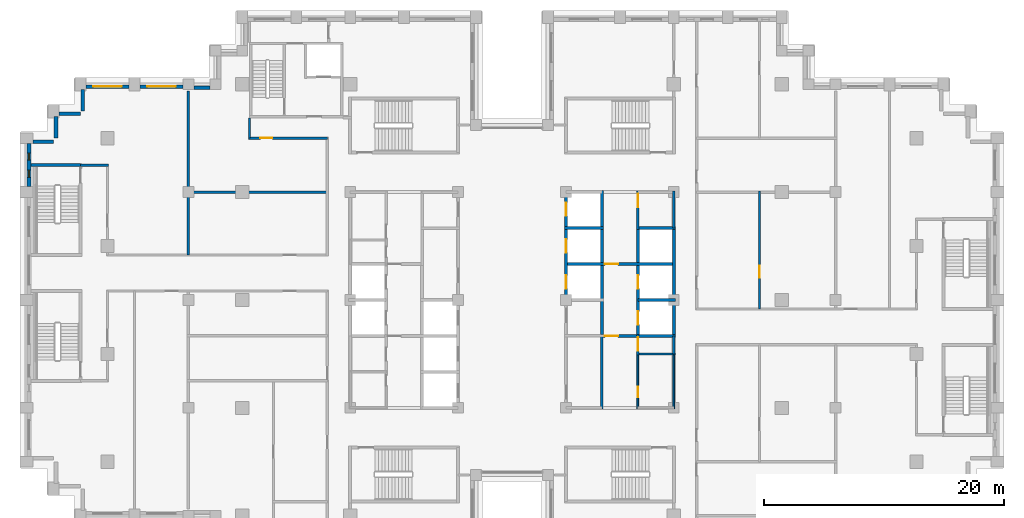
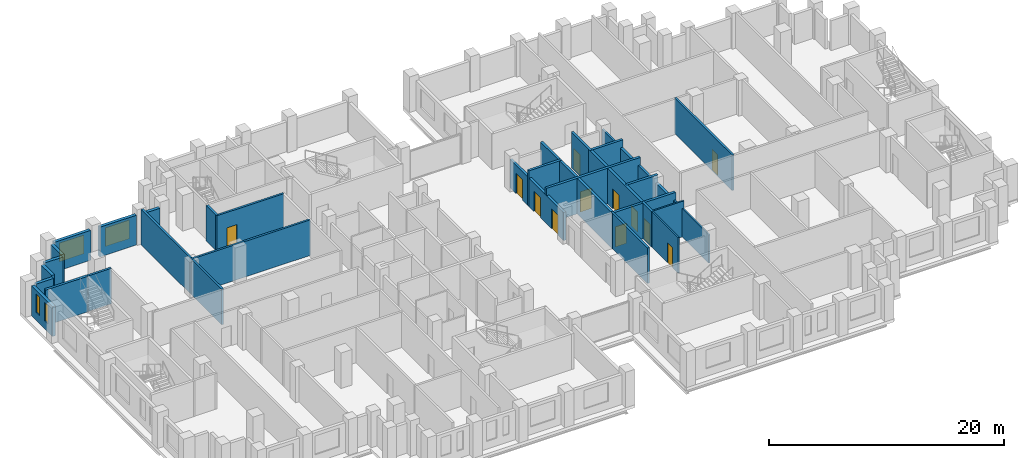
# One storey, part 9 of 15: 32 walls, 12 doors, 4 windows, 16 openings.
"""IFC4 building model written with IfcOpenShell, lengths in metres."""

from ifc_helpers import new_model, si_unit, direction, frame, frame_2d, origin, place, context, subcontext, project, spatial, rectangle, extrude, material, layer, layer_set, type_object, element, fill, save


model = new_model("IFC4")

# Units and contexts
model_context = context("Model", 3, precision=1e-05, world=origin(), true_north=direction((0.0, 1.0)))
body_context = subcontext(model_context, "Body", "Model", "MODEL_VIEW")
ifc_project = project(units=[si_unit("LENGTHUNIT", "METRE"), si_unit("AREAUNIT", "SQUARE_METRE"), si_unit("VOLUMEUNIT", "CUBIC_METRE"), si_unit("PLANEANGLEUNIT", "RADIAN"), si_unit("MASSUNIT", "GRAM", prefix="KILO")], contexts=[model_context])

# Site, building, storey
site_placement = place(None, origin())
site = spatial("IfcSite", under=ifc_project, at=site_placement, CompositionType="ELEMENT")
building_placement = place(site_placement, origin())
building = spatial("IfcBuilding", under=site, at=building_placement, Name="Corbelhall Arena Tower", CompositionType="ELEMENT")
storey_placement = place(building_placement, frame((0.0, 0.0, 134.0)))
storey = spatial("IfcBuildingStorey", under=building, at=storey_placement, Name="L25", CompositionType="ELEMENT", Elevation=134.0)

# Walls
ifc_material_1 = material(Name="Precast concrete C40/50 with granite facing", Category="masonry")
ifc_layer_1 = layer(ifc_material_1, 0.300048828125)
ifc_layer_set_1 = layer_set([ifc_layer_1], Name="EV-IW1 Infill panel 300")
wall_type_1 = type_object("IfcWallType", Name="EV-IW1 Infill panel 300", PredefinedType="SOLIDWALL", material=ifc_layer_set_1)
for number, where, z_axis, x_axis, name in (
    (1, (-35.800048828125, 17.550048828125, 0.0), (0.0, 0.0, 1.0), (0.0, -1.0, 0.0), "Infill panel IW1"),
    (2, (-37.800048828125, 15.550048828125, 0.0), (0.0, 0.0, 1.0), (1.0, 0.0, 0.0), "Infill panel IW1"),
    (3, (-38.050048828125, 15.300048828125, 0.0), (0.0, 0.0, 1.0), (0.0, -1.0, 0.0), "Infill panel IW1"),
):
    element("IfcWall", number, at=place(storey_placement, frame(where, z_axis=z_axis, x_axis=x_axis)), inside=storey, type_object=wall_type_1, Name=name, PredefinedType="SOLIDWALL", context=body_context, shape_type="SweptSolid", body=[
        extrude(rectangle(XDim=1.800048828125, YDim=0.300048828125, at=frame_2d((0.89990234375, 0.0))), origin(), (0.0, 0.0, 1.0), 3.10009765625),
    ])
wall_1_placement = place(storey_placement, frame((-39.949951171875, 13.199951171875, 0.0), z_axis=(0.0, 0.0, 1.0), x_axis=(1.0, 0.0, 0.0)))
element("IfcWall", 4, at=wall_1_placement, inside=storey, type_object=wall_type_1, Name="Infill panel IW1", PredefinedType="SOLIDWALL", context=body_context, shape_type="SweptSolid", body=[
    extrude(rectangle(XDim=1.699951171875, YDim=0.300048828125, at=frame_2d((0.85009765625, 0.0))), origin(), (0.0, 0.0, 1.0), 3.10009765625),
])
wall_2_placement = place(storey_placement, frame((-25.199951171875, 17.699951171875, 0.0), z_axis=(0.0, 0.0, 1.0), x_axis=(-1.0, 0.0, 0.0)))
element("IfcWall", 5, at=wall_2_placement, inside=storey, type_object=wall_type_1, Name="Infill panel IW1", PredefinedType="SOLIDWALL", context=body_context, shape_type="SweptSolid", body=[
    extrude(rectangle(XDim=1.35009765625, YDim=0.300048828125, at=frame_2d((0.675048828125, 0.0))), origin(), (0.0, 0.0, 1.0), 3.10009765625),
])

# Wall, opening, window
wall_3_placement = place(storey_placement, frame((-27.449951171875, 17.800048828125, 0.0), z_axis=(0.0, 0.0, 1.0), x_axis=(-1.0, 0.0, 0.0)))
wall_3 = element("IfcWall", 6, at=wall_3_placement, inside=storey, type_object=wall_type_1, Name="Infill panel IW1", PredefinedType="SOLIDWALL", context=body_context, shape_type="SweptSolid", body=[
    extrude(rectangle(XDim=3.60009765625, YDim=0.300048828125, at=frame_2d((1.800048828125, 0.0))), origin(), (0.0, 0.0, 1.0), 3.10009765625),
])
opening_1_placement = place(wall_3_placement, frame((0.60009765625, 0.0, 0.800048828125)))
opening_1 = element("IfcOpeningElement", 7, at=opening_1_placement, cuts=wall_3, Name="Opening WN1", PredefinedType="OPENING", context=body_context, shape_type="SweptSolid", body=[
    extrude(rectangle(XDim=2.39990234375, YDim=1.949951171875, at=frame_2d((1.199951171875, 0.97509765625))), frame((0.0, 0.14990234375, 0.0), z_axis=(0.0, -1.0, 0.0), x_axis=(1.0, 0.0, 0.0)), (0.0, 0.0, 1.0), 0.300048828125),
])
ifc_material_2 = material(Name="Aluminium black anodised", Category="aluminium")
window_type_1 = type_object("IfcWindowType", Name="EV-WN1 Office window", PartitioningType="SINGLE_PANEL", PredefinedType="WINDOW", material=ifc_material_2)
window_1_placement = place(opening_1_placement, origin())
window_1 = element("IfcWindow", 8, at=window_1_placement, inside=storey, type_object=window_type_1, Name="Window WN1", OverallHeight=1.949951171875, OverallWidth=2.39990234375, PartitioningType="SINGLE_PANEL", PredefinedType="WINDOW", context=body_context, shape_type="SweptSolid", body=[
    extrude(rectangle(XDim=2.39990234375, YDim=1.949951171875, at=frame_2d((1.199951171875, 0.97509765625))), frame((0.0, 0.030029296875, 0.0), z_axis=(0.0, -1.0, 0.0), x_axis=(1.0, 0.0, 0.0)), (0.0, 0.0, 1.0), 0.06005859375),
])
fill(opening_1, window_1)

wall_4_placement = place(storey_placement, frame((-31.949951171875, 17.800048828125, 0.0), z_axis=(0.0, 0.0, 1.0), x_axis=(-1.0, 0.0, 0.0)))
wall_4 = element("IfcWall", 9, at=wall_4_placement, inside=storey, type_object=wall_type_1, Name="Infill panel IW1", PredefinedType="SOLIDWALL", context=body_context, shape_type="SweptSolid", body=[
    extrude(rectangle(XDim=3.60009765625, YDim=0.300048828125, at=frame_2d((1.800048828125, 0.0))), origin(), (0.0, 0.0, 1.0), 3.10009765625),
])
opening_2_placement = place(wall_4_placement, frame((0.60009765625, 0.0, 0.800048828125)))
opening_2 = element("IfcOpeningElement", 10, at=opening_2_placement, cuts=wall_4, Name="Opening WN1", PredefinedType="OPENING", context=body_context, shape_type="SweptSolid", body=[
    extrude(rectangle(XDim=2.39990234375, YDim=1.949951171875, at=frame_2d((1.199951171875, 0.97509765625))), frame((0.0, 0.14990234375, 0.0), z_axis=(0.0, -1.0, 0.0), x_axis=(1.0, 0.0, 0.0)), (0.0, 0.0, 1.0), 0.300048828125),
])
window_2_placement = place(opening_2_placement, origin())
window_2 = element("IfcWindow", 11, at=window_2_placement, inside=storey, type_object=window_type_1, Name="Window WN1", OverallHeight=1.949951171875, OverallWidth=2.39990234375, PartitioningType="SINGLE_PANEL", PredefinedType="WINDOW", context=body_context, shape_type="SweptSolid", body=[
    extrude(rectangle(XDim=2.39990234375, YDim=1.949951171875, at=frame_2d((1.199951171875, 0.97509765625))), frame((0.0, 0.030029296875, 0.0), z_axis=(0.0, -1.0, 0.0), x_axis=(1.0, 0.0, 0.0)), (0.0, 0.0, 1.0), 0.06005859375),
])
fill(opening_2, window_2)

# Wall, openings, windows
wall_5_placement = place(storey_placement, frame((-40.300048828125, 13.050048828125, 0.0), z_axis=(0.0, 0.0, 1.0), x_axis=(0.0, -1.0, 0.0)))
wall_5 = element("IfcWall", 12, at=wall_5_placement, inside=storey, type_object=wall_type_1, Name="Infill panel IW1", PredefinedType="SOLIDWALL", context=body_context, shape_type="SweptSolid", body=[
    extrude(rectangle(XDim=3.60009765625, YDim=0.300048828125, at=frame_2d((1.800048828125, 0.0))), origin(), (0.0, 0.0, 1.0), 3.10009765625),
])
opening_3_placement = place(wall_5_placement, frame((0.78759765625, 0.0, 0.800048828125)))
opening_3 = element("IfcOpeningElement", 13, at=opening_3_placement, cuts=wall_5, Name="Opening WN5", PredefinedType="OPENING", context=body_context, shape_type="SweptSolid", body=[
    extrude(rectangle(XDim=0.60009765625, YDim=1.949951171875, at=frame_2d((0.300048828125, 0.97509765625))), frame((0.0, 0.14990234375, 0.0), z_axis=(0.0, -1.0, 0.0), x_axis=(1.0, 0.0, 0.0)), (0.0, 0.0, 1.0), 0.300048828125),
])
opening_4_placement = place(wall_5_placement, frame((2.21240234375, 0.0, 0.800048828125)))
opening_4 = element("IfcOpeningElement", 14, at=opening_4_placement, cuts=wall_5, Name="Opening WN5", PredefinedType="OPENING", context=body_context, shape_type="SweptSolid", body=[
    extrude(rectangle(XDim=0.60009765625, YDim=1.949951171875, at=frame_2d((0.300048828125, 0.97509765625))), frame((0.0, 0.14990234375, 0.0), z_axis=(0.0, -1.0, 0.0), x_axis=(1.0, 0.0, 0.0)), (0.0, 0.0, 1.0), 0.300048828125),
])
window_type_2 = type_object("IfcWindowType", Name="EV-WN5 Office window 600", PartitioningType="SINGLE_PANEL", PredefinedType="WINDOW", material=ifc_material_2)
window_3_placement = place(opening_3_placement, origin())
window_3 = element("IfcWindow", 15, at=window_3_placement, inside=storey, type_object=window_type_2, Name="Window WN5", OverallHeight=1.949951171875, OverallWidth=0.60009765625, PartitioningType="SINGLE_PANEL", PredefinedType="WINDOW", context=body_context, shape_type="SweptSolid", body=[
    extrude(rectangle(XDim=0.60009765625, YDim=1.949951171875, at=frame_2d((0.300048828125, 0.97509765625))), frame((0.0, 0.030029296875, 0.0), z_axis=(0.0, -1.0, 0.0), x_axis=(1.0, 0.0, 0.0)), (0.0, 0.0, 1.0), 0.06005859375),
])
fill(opening_3, window_3)
window_4_placement = place(opening_4_placement, origin())
window_4 = element("IfcWindow", 16, at=window_4_placement, inside=storey, type_object=window_type_2, Name="Window WN5", OverallHeight=1.949951171875, OverallWidth=0.60009765625, PartitioningType="SINGLE_PANEL", PredefinedType="WINDOW", context=body_context, shape_type="SweptSolid", body=[
    extrude(rectangle(XDim=0.60009765625, YDim=1.949951171875, at=frame_2d((0.300048828125, 0.97509765625))), frame((0.0, 0.030029296875, 0.0), z_axis=(0.0, -1.0, 0.0), x_axis=(1.0, 0.0, 0.0)), (0.0, 0.0, 1.0), 0.06005859375),
])
fill(opening_4, window_4)

# Walls
ifc_material_3 = material(Name="Gypsum board on steel stud, acoustic", Category="steel")
ifc_layer_2 = layer(ifc_material_3, 0.199951171875)
ifc_layer_set_2 = layer_set([ifc_layer_2], Name="IN-W-DM200")
wall_type_2 = type_object("IfcWallType", Name="IN-W-DM200", PredefinedType="PARTITIONING", material=ifc_layer_set_2)
wall_6_placement = place(storey_placement, frame((-36.0, 11.25, 0.0), z_axis=(0.0, 0.0, 1.0), x_axis=(1.0, 0.0, 0.0)))
element("IfcWall", 17, at=wall_6_placement, inside=storey, type_object=wall_type_2, Name="Partition 001", PredefinedType="PARTITIONING", context=body_context, shape_type="SweptSolid", body=[
    extrude(rectangle(XDim=2.35009765625, YDim=0.199951171875, at=frame_2d((1.175048828125, 0.0))), origin(), (0.0, 0.0, 1.0), 3.699951171875),
])
wall_7_placement = place(storey_placement, frame((-27.10009765625, 9.0, 0.0), z_axis=(0.0, 0.0, 1.0), x_axis=(1.0, 0.0, 0.0)))
element("IfcWall", 18, at=wall_7_placement, inside=storey, type_object=wall_type_2, Name="Partition 010", PredefinedType="PARTITIONING", context=body_context, shape_type="SweptSolid", body=[
    extrude(rectangle(XDim=11.7001953125, YDim=0.199951171875, at=frame_2d((5.85009765625, 0.0))), origin(), (0.0, 0.0, 1.0), 3.699951171875),
])
wall_8_placement = place(storey_placement, frame((-27.0, 3.75, 0.0), z_axis=(0.0, 0.0, 1.0), x_axis=(0.0, 1.0, 0.0)))
element("IfcWall", 19, at=wall_8_placement, inside=storey, type_object=wall_type_2, Name="Partition 012", PredefinedType="PARTITIONING", context=body_context, shape_type="SweptSolid", body=[
    extrude(rectangle(XDim=13.699951171875, YDim=0.199951171875, at=frame_2d((6.85009765625, 0.0))), origin(), (0.0, 0.0, 1.0), 3.699951171875),
])
wall_9_placement = place(storey_placement, frame((-21.89990234375, 13.5, 0.0), z_axis=(0.0, 0.0, 1.0), x_axis=(0.0, 1.0, 0.0)))
element("IfcWall", 20, at=wall_9_placement, inside=storey, type_object=wall_type_2, Name="Partition 013", PredefinedType="PARTITIONING", context=body_context, shape_type="SweptSolid", body=[
    extrude(rectangle(XDim=1.699951171875, YDim=0.199951171875, at=frame_2d((0.85009765625, 0.0))), origin(), (0.0, 0.0, 1.0), 3.699951171875),
])

# Wall, opening, door
wall_10_placement = place(storey_placement, frame((-15.39990234375, 13.5, 0.0), z_axis=(0.0, 0.0, 1.0), x_axis=(-1.0, 0.0, 0.0)))
wall_10 = element("IfcWall", 21, at=wall_10_placement, inside=storey, type_object=wall_type_2, Name="Partition 019", PredefinedType="PARTITIONING", context=body_context, shape_type="SweptSolid", body=[
    extrude(rectangle(XDim=6.60009765625, YDim=0.199951171875, at=frame_2d((3.300048828125, 0.0))), origin(), (0.0, 0.0, 1.0), 3.699951171875),
])
opening_5_placement = place(wall_10_placement, frame((4.60009765625, 0.0, 0.0)))
opening_5 = element("IfcOpeningElement", 22, at=opening_5_placement, cuts=wall_10, Name="Opening 06028", PredefinedType="OPENING", context=body_context, shape_type="SweptSolid", body=[
    extrude(rectangle(XDim=1.0, YDim=2.10009765625, at=frame_2d((0.5, 1.050048828125))), frame((0.0, 0.10009765625, 0.0), z_axis=(0.0, -1.0, 0.0), x_axis=(1.0, 0.0, 0.0)), (0.0, 0.0, 1.0), 0.199951171875),
])
ifc_material_4 = material(Name="Steel door set", Category="steel")
door_type_1 = type_object("IfcDoorType", Name="IN-D-SW100", OperationType="NOTDEFINED", PredefinedType="DOOR", material=ifc_material_4)
door_1_placement = place(opening_5_placement, origin())
door_1 = element("IfcDoor", 23, at=door_1_placement, inside=storey, type_object=door_type_1, Name="Door 028", OperationType="SINGLE_SWING_LEFT", OverallHeight=2.10009765625, OverallWidth=1.0, PredefinedType="DOOR", context=body_context, shape_type="SweptSolid", body=[
    extrude(rectangle(XDim=1.0, YDim=2.10009765625, at=frame_2d((0.5, 1.050048828125))), frame((0.0, 0.02490234375, 0.0), z_axis=(0.0, -1.0, 0.0), x_axis=(1.0, 0.0, 0.0)), (0.0, 0.0, 1.0), 0.050048828125),
])
fill(opening_5, door_1)

wall_11_placement = place(storey_placement, frame((20.64990234375, 9.10009765625, 0.0), z_axis=(0.0, 0.0, 1.0), x_axis=(0.0, -1.0, 0.0)))
wall_11 = element("IfcWall", 24, at=wall_11_placement, inside=storey, type_object=wall_type_2, Name="Partition 037", PredefinedType="PARTITIONING", context=body_context, shape_type="SweptSolid", body=[
    extrude(rectangle(XDim=9.85009765625, YDim=0.199951171875, at=frame_2d((4.925048828125, 0.0))), origin(), (0.0, 0.0, 1.0), 3.699951171875),
])
opening_6_placement = place(wall_11_placement, frame((6.25, 0.0, 0.0)))
opening_6 = element("IfcOpeningElement", 25, at=opening_6_placement, cuts=wall_11, Name="Opening 06035", PredefinedType="OPENING", context=body_context, shape_type="SweptSolid", body=[
    extrude(rectangle(XDim=1.0, YDim=2.10009765625, at=frame_2d((0.5, 1.050048828125))), frame((0.0, 0.10009765625, 0.0), z_axis=(0.0, -1.0, 0.0), x_axis=(1.0, 0.0, 0.0)), (0.0, 0.0, 1.0), 0.199951171875),
])
door_2_placement = place(opening_6_placement, origin())
door_2 = element("IfcDoor", 26, at=door_2_placement, inside=storey, type_object=door_type_1, Name="Door 035", OperationType="SINGLE_SWING_RIGHT", OverallHeight=2.10009765625, OverallWidth=1.0, PredefinedType="DOOR", context=body_context, shape_type="SweptSolid", body=[
    extrude(rectangle(XDim=1.0, YDim=2.10009765625, at=frame_2d((0.5, 1.050048828125))), frame((0.0, 0.02490234375, 0.0), z_axis=(0.0, -1.0, 0.0), x_axis=(1.0, 0.0, 0.0)), (0.0, 0.0, 1.0), 0.050048828125),
])
fill(opening_6, door_2)

# Wall
ifc_material_5 = material(Name="Concrete block wall", Category="concrete")
ifc_layer_3 = layer(ifc_material_5, 0.199951171875)
ifc_layer_set_3 = layer_set([ifc_layer_3], Name="IN-W-RS200")
wall_type_3 = type_object("IfcWallType", Name="IN-W-RS200", PredefinedType="SOLIDWALL", material=ifc_layer_set_3)
wall_12_placement = place(storey_placement, frame((7.5, -2.875, 0.0), z_axis=(0.0, 0.0, 1.0), x_axis=(0.0, -1.0, 0.0)))
element("IfcWall", 27, at=wall_12_placement, inside=storey, type_object=wall_type_3, Name="Partition 059", PredefinedType="SOLIDWALL", context=body_context, shape_type="SweptSolid", body=[
    extrude(rectangle(XDim=6.22509765625, YDim=0.199951171875, at=frame_2d((3.112548828125, 0.0))), origin(), (0.0, 0.0, 1.0), 3.699951171875),
])

# Wall, opening, door
wall_13_placement = place(storey_placement, frame((10.5, -2.875, 0.0), z_axis=(0.0, 0.0, 1.0), x_axis=(0.0, -1.0, 0.0)))
wall_13 = element("IfcWall", 28, at=wall_13_placement, inside=storey, type_object=wall_type_3, Name="Partition 060", PredefinedType="SOLIDWALL", context=body_context, shape_type="SweptSolid", body=[
    extrude(rectangle(XDim=1.699951171875, YDim=0.199951171875, at=frame_2d((0.85009765625, 0.0))), origin(), (0.0, 0.0, 1.0), 3.699951171875),
])
opening_7_placement = place(wall_13_placement, frame((0.25, 0.0, 0.0)))
opening_7 = element("IfcOpeningElement", 29, at=opening_7_placement, cuts=wall_13, Name="Opening 06013", PredefinedType="OPENING", context=body_context, shape_type="SweptSolid", body=[
    extrude(rectangle(XDim=1.10009765625, YDim=2.10009765625, at=frame_2d((0.550048828125, 1.050048828125))), frame((0.0, 0.10009765625, 0.0), z_axis=(0.0, -1.0, 0.0), x_axis=(1.0, 0.0, 0.0)), (0.0, 0.0, 1.0), 0.199951171875),
])
door_type_2 = type_object("IfcDoorType", Name="IN-D-FD110", OperationType="NOTDEFINED", PredefinedType="DOOR", material=ifc_material_4)
door_3_placement = place(opening_7_placement, origin())
door_3 = element("IfcDoor", 30, at=door_3_placement, inside=storey, type_object=door_type_2, Name="Door 013", OperationType="SINGLE_SWING_RIGHT", OverallHeight=2.10009765625, OverallWidth=1.10009765625, PredefinedType="DOOR", context=body_context, shape_type="SweptSolid", body=[
    extrude(rectangle(XDim=1.10009765625, YDim=2.10009765625, at=frame_2d((0.550048828125, 1.050048828125))), frame((0.0, 0.02490234375, 0.0), z_axis=(0.0, -1.0, 0.0), x_axis=(1.0, 0.0, 0.0)), (0.0, 0.0, 1.0), 0.050048828125),
])
fill(opening_7, door_3)

wall_14_placement = place(storey_placement, frame((10.5, 9.10009765625, 0.0), z_axis=(0.0, 0.0, 1.0), x_axis=(0.0, -1.0, 0.0)))
wall_14 = element("IfcWall", 31, at=wall_14_placement, inside=storey, type_object=wall_type_3, Name="Partition 062", PredefinedType="SOLIDWALL", context=body_context, shape_type="SweptSolid", body=[
    extrude(rectangle(XDim=3.22509765625, YDim=0.199951171875, at=frame_2d((1.612548828125, 0.0))), origin(), (0.0, 0.0, 1.0), 3.699951171875),
])
opening_8_placement = place(wall_14_placement, frame((0.25, 0.0, 0.0)))
opening_8 = element("IfcOpeningElement", 32, at=opening_8_placement, cuts=wall_14, Name="Opening 06014", PredefinedType="OPENING", context=body_context, shape_type="SweptSolid", body=[
    extrude(rectangle(XDim=1.10009765625, YDim=2.10009765625, at=frame_2d((0.550048828125, 1.050048828125))), frame((0.0, 0.10009765625, 0.0), z_axis=(0.0, -1.0, 0.0), x_axis=(1.0, 0.0, 0.0)), (0.0, 0.0, 1.0), 0.199951171875),
])
door_4_placement = place(opening_8_placement, origin())
door_4 = element("IfcDoor", 33, at=door_4_placement, inside=storey, type_object=door_type_2, Name="Door 014", OperationType="SINGLE_SWING_LEFT", OverallHeight=2.10009765625, OverallWidth=1.10009765625, PredefinedType="DOOR", context=body_context, shape_type="SweptSolid", body=[
    extrude(rectangle(XDim=1.10009765625, YDim=2.10009765625, at=frame_2d((0.550048828125, 1.050048828125))), frame((0.0, 0.02490234375, 0.0), z_axis=(0.0, -1.0, 0.0), x_axis=(1.0, 0.0, 0.0)), (0.0, 0.0, 1.0), 0.050048828125),
])
fill(opening_8, door_4)

# Walls
ifc_layer_4 = layer(ifc_material_5, 0.199951171875)
ifc_layer_set_4 = layer_set([ifc_layer_4], Name="IN-W-RS200 under beam 762 mm")
wall_type_4 = type_object("IfcWallType", Name="IN-W-RS200 under beam 762 mm", PredefinedType="SOLIDWALL", material=ifc_layer_set_4)
wall_15_placement = place(storey_placement, frame((13.5, -3.0, 0.0), z_axis=(0.0, 0.0, 1.0), x_axis=(0.0, -1.0, 0.0)))
element("IfcWall", 34, at=wall_15_placement, inside=storey, type_object=wall_type_4, Name="Partition 063", PredefinedType="SOLIDWALL", context=body_context, shape_type="SweptSolid", body=[
    extrude(rectangle(XDim=1.5, YDim=0.199951171875, at=frame_2d((0.75, 0.0))), origin(), (0.0, 0.0, 1.0), 2.93798828125),
])
wall_16_placement = place(storey_placement, frame((13.5, 9.10009765625, 0.0), z_axis=(0.0, 0.0, 1.0), x_axis=(0.0, -1.0, 0.0)))
element("IfcWall", 35, at=wall_16_placement, inside=storey, type_object=wall_type_4, Name="Partition 064", PredefinedType="SOLIDWALL", context=body_context, shape_type="SweptSolid", body=[
    extrude(rectangle(XDim=3.10009765625, YDim=0.199951171875, at=frame_2d((1.550048828125, 0.0))), origin(), (0.0, 0.0, 1.0), 2.93798828125),
])

# Wall, opening, door
ifc_material_6 = material(Name="Concrete C40/50", Category="concrete")
ifc_layer_5 = layer(ifc_material_6, 0.25)
ifc_layer_set_5 = layer_set([ifc_layer_5], Name="IN-W-SH250")
wall_type_5 = type_object("IfcWallType", Name="IN-W-SH250", PredefinedType="SOLIDWALL", material=ifc_layer_set_5)
wall_17_placement = place(storey_placement, frame((4.375, 3.0, 0.0), z_axis=(0.0, 0.0, 1.0), x_axis=(1.0, 0.0, 0.0)))
wall_17 = element("IfcWall", 36, at=wall_17_placement, inside=storey, type_object=wall_type_5, Name="Shaft wall 076", PredefinedType="SOLIDWALL", context=body_context, shape_type="SweptSolid", body=[
    extrude(rectangle(XDim=9.25, YDim=0.25, at=frame_2d((4.625, 0.0))), origin(), (0.0, 0.0, 1.0), 3.699951171875),
])
opening_9_placement = place(wall_17_placement, frame((3.375, 0.0, 0.0)))
opening_9 = element("IfcOpeningElement", 37, at=opening_9_placement, cuts=wall_17, Name="Opening 06011", PredefinedType="OPENING", context=body_context, shape_type="SweptSolid", body=[
    extrude(rectangle(XDim=1.10009765625, YDim=2.10009765625, at=frame_2d((0.550048828125, 1.050048828125))), frame((0.0, 0.125, 0.0), z_axis=(0.0, -1.0, 0.0), x_axis=(1.0, 0.0, 0.0)), (0.0, 0.0, 1.0), 0.25),
])
door_5_placement = place(opening_9_placement, origin())
door_5 = element("IfcDoor", 38, at=door_5_placement, inside=storey, type_object=door_type_2, Name="Door 011", OperationType="SINGLE_SWING_RIGHT", OverallHeight=2.10009765625, OverallWidth=1.10009765625, PredefinedType="DOOR", context=body_context, shape_type="SweptSolid", body=[
    extrude(rectangle(XDim=1.10009765625, YDim=2.10009765625, at=frame_2d((0.550048828125, 1.050048828125))), frame((0.0, 0.02490234375, 0.0), z_axis=(0.0, -1.0, 0.0), x_axis=(1.0, 0.0, 0.0)), (0.0, 0.0, 1.0), 0.050048828125),
])
fill(opening_9, door_5)

# Wall
wall_18_placement = place(storey_placement, frame((4.375, 6.0, 0.0), z_axis=(0.0, 0.0, 1.0), x_axis=(1.0, 0.0, 0.0)))
element("IfcWall", 39, at=wall_18_placement, inside=storey, type_object=wall_type_5, Name="Shaft wall 077", PredefinedType="SOLIDWALL", context=body_context, shape_type="SweptSolid", body=[
    extrude(rectangle(XDim=3.25, YDim=0.25, at=frame_2d((1.625, 0.0))), origin(), (0.0, 0.0, 1.0), 3.699951171875),
])

# Wall, opening, door
wall_19_placement = place(storey_placement, frame((7.5, -3.0, 0.0), z_axis=(0.0, 0.0, 1.0), x_axis=(1.0, 0.0, 0.0)))
wall_19 = element("IfcWall", 40, at=wall_19_placement, inside=storey, type_object=wall_type_5, Name="Shaft wall 080", PredefinedType="SOLIDWALL", context=body_context, shape_type="SweptSolid", body=[
    extrude(rectangle(XDim=6.125, YDim=0.25, at=frame_2d((3.0625, 0.0))), origin(), (0.0, 0.0, 1.0), 3.699951171875),
])
opening_10_placement = place(wall_19_placement, frame((0.25, 0.0, 0.0)))
opening_10 = element("IfcOpeningElement", 41, at=opening_10_placement, cuts=wall_19, Name="Opening 06010", PredefinedType="OPENING", context=body_context, shape_type="SweptSolid", body=[
    extrude(rectangle(XDim=1.10009765625, YDim=2.10009765625, at=frame_2d((0.550048828125, 1.050048828125))), frame((0.0, 0.125, 0.0), z_axis=(0.0, -1.0, 0.0), x_axis=(1.0, 0.0, 0.0)), (0.0, 0.0, 1.0), 0.25),
])
door_6_placement = place(opening_10_placement, origin())
door_6 = element("IfcDoor", 42, at=door_6_placement, inside=storey, type_object=door_type_2, Name="Door 010", OperationType="SINGLE_SWING_LEFT", OverallHeight=2.10009765625, OverallWidth=1.10009765625, PredefinedType="DOOR", context=body_context, shape_type="SweptSolid", body=[
    extrude(rectangle(XDim=1.10009765625, YDim=2.10009765625, at=frame_2d((0.550048828125, 1.050048828125))), frame((0.0, 0.02490234375, 0.0), z_axis=(0.0, -1.0, 0.0), x_axis=(1.0, 0.0, 0.0)), (0.0, 0.0, 1.0), 0.050048828125),
])
fill(opening_10, door_6)

# Walls
wall_20_placement = place(storey_placement, frame((7.5, 9.125, 0.0), z_axis=(0.0, 0.0, 1.0), x_axis=(0.0, -1.0, 0.0)))
element("IfcWall", 43, at=wall_20_placement, inside=storey, type_object=wall_type_5, Name="Shaft wall 081", PredefinedType="SOLIDWALL", context=body_context, shape_type="SweptSolid", body=[
    extrude(rectangle(XDim=12.25, YDim=0.25, at=frame_2d((6.125, 0.0))), origin(), (0.0, 0.0, 1.0), 3.699951171875),
])
wall_21_placement = place(storey_placement, frame((10.5, 0.0, 0.0), z_axis=(0.0, 0.0, 1.0), x_axis=(1.0, 0.0, 0.0)))
element("IfcWall", 44, at=wall_21_placement, inside=storey, type_object=wall_type_5, Name="Shaft wall 082", PredefinedType="SOLIDWALL", context=body_context, shape_type="SweptSolid", body=[
    extrude(rectangle(XDim=3.125, YDim=0.25, at=frame_2d((1.5625, 0.0))), origin(), (0.0, 0.0, 1.0), 3.699951171875),
])

# Wall, openings, doors
wall_22_placement = place(storey_placement, frame((10.5, 6.125, 0.0), z_axis=(0.0, 0.0, 1.0), x_axis=(0.0, -1.0, 0.0)))
wall_22 = element("IfcWall", 45, at=wall_22_placement, inside=storey, type_object=wall_type_5, Name="Shaft wall 083", PredefinedType="SOLIDWALL", context=body_context, shape_type="SweptSolid", body=[
    extrude(rectangle(XDim=9.25, YDim=0.25, at=frame_2d((4.625, 0.0))), origin(), (0.0, 0.0, 1.0), 3.699951171875),
])
opening_11_placement = place(wall_22_placement, frame((7.074951171875, 0.0, 0.0)))
opening_11 = element("IfcOpeningElement", 46, at=opening_11_placement, cuts=wall_22, Name="Opening LD", PredefinedType="OPENING", context=body_context, shape_type="SweptSolid", body=[
    extrude(rectangle(XDim=1.10009765625, YDim=2.10009765625, at=frame_2d((0.550048828125, 1.050048828125))), frame((0.0, 0.125, 0.0), z_axis=(0.0, -1.0, 0.0), x_axis=(1.0, 0.0, 0.0)), (0.0, 0.0, 1.0), 0.25),
])
opening_12_placement = place(wall_22_placement, frame((4.074951171875, 0.0, 0.0)))
opening_12 = element("IfcOpeningElement", 47, at=opening_12_placement, cuts=wall_22, Name="Opening LD", PredefinedType="OPENING", context=body_context, shape_type="SweptSolid", body=[
    extrude(rectangle(XDim=1.10009765625, YDim=2.10009765625, at=frame_2d((0.550048828125, 1.050048828125))), frame((0.0, 0.125, 0.0), z_axis=(0.0, -1.0, 0.0), x_axis=(1.0, 0.0, 0.0)), (0.0, 0.0, 1.0), 0.25),
])
door_type_3 = type_object("IfcDoorType", Name="IN-D-LD110", OperationType="NOTDEFINED", PredefinedType="DOOR", material=ifc_material_4)
door_7_placement = place(opening_11_placement, origin())
door_7 = element("IfcDoor", 48, at=door_7_placement, inside=storey, type_object=door_type_3, Name="Landing door E3", OperationType="SLIDING_TO_LEFT", OverallHeight=2.10009765625, OverallWidth=1.10009765625, PredefinedType="DOOR", context=body_context, shape_type="SweptSolid", body=[
    extrude(rectangle(XDim=1.10009765625, YDim=2.10009765625, at=frame_2d((0.550048828125, 1.050048828125))), frame((0.0, 0.02490234375, 0.0), z_axis=(0.0, -1.0, 0.0), x_axis=(1.0, 0.0, 0.0)), (0.0, 0.0, 1.0), 0.050048828125),
])
fill(opening_11, door_7)
door_8_placement = place(opening_12_placement, origin())
door_8 = element("IfcDoor", 49, at=door_8_placement, inside=storey, type_object=door_type_3, Name="Landing door E4", OperationType="SLIDING_TO_LEFT", OverallHeight=2.10009765625, OverallWidth=1.10009765625, PredefinedType="DOOR", context=body_context, shape_type="SweptSolid", body=[
    extrude(rectangle(XDim=1.10009765625, YDim=2.10009765625, at=frame_2d((0.550048828125, 1.050048828125))), frame((0.0, 0.02490234375, 0.0), z_axis=(0.0, -1.0, 0.0), x_axis=(1.0, 0.0, 0.0)), (0.0, 0.0, 1.0), 0.050048828125),
])
fill(opening_12, door_8)

# Wall
wall_23_placement = place(storey_placement, frame((10.5, 6.0, 0.0), z_axis=(0.0, 0.0, 1.0), x_axis=(1.0, 0.0, 0.0)))
element("IfcWall", 50, at=wall_23_placement, inside=storey, type_object=wall_type_5, Name="Shaft wall 084", PredefinedType="SOLIDWALL", context=body_context, shape_type="SweptSolid", body=[
    extrude(rectangle(XDim=3.125, YDim=0.25, at=frame_2d((1.5625, 0.0))), origin(), (0.0, 0.0, 1.0), 3.699951171875),
])

# Wall, openings, doors
ifc_layer_6 = layer(ifc_material_6, 0.25)
ifc_layer_set_6 = layer_set([ifc_layer_6], Name="IN-W-SH250 under beam 762 mm")
wall_type_6 = type_object("IfcWallType", Name="IN-W-SH250 under beam 762 mm", PredefinedType="SOLIDWALL", material=ifc_layer_set_6)
wall_24_placement = place(storey_placement, frame((4.5, 0.0, 0.0), z_axis=(0.0, 0.0, 1.0), x_axis=(0.0, 1.0, 0.0)))
wall_24 = element("IfcWall", 51, at=wall_24_placement, inside=storey, type_object=wall_type_6, Name="Shaft wall 078", PredefinedType="SOLIDWALL", context=body_context, shape_type="SweptSolid", body=[
    extrude(rectangle(XDim=9.125, YDim=0.25, at=frame_2d((4.5625, 0.0))), origin(), (0.0, 0.0, 1.0), 2.93798828125),
])
opening_13_placement = place(wall_24_placement, frame((0.949951171875, 0.0, 0.0)))
opening_13 = element("IfcOpeningElement", 52, at=opening_13_placement, cuts=wall_24, Name="Opening LD", PredefinedType="OPENING", context=body_context, shape_type="SweptSolid", body=[
    extrude(rectangle(XDim=1.10009765625, YDim=2.10009765625, at=frame_2d((0.550048828125, 1.050048828125))), frame((0.0, 0.125, 0.0), z_axis=(0.0, -1.0, 0.0), x_axis=(1.0, 0.0, 0.0)), (0.0, 0.0, 1.0), 0.25),
])
opening_14_placement = place(wall_24_placement, frame((3.949951171875, 0.0, 0.0)))
opening_14 = element("IfcOpeningElement", 53, at=opening_14_placement, cuts=wall_24, Name="Opening LD", PredefinedType="OPENING", context=body_context, shape_type="SweptSolid", body=[
    extrude(rectangle(XDim=1.10009765625, YDim=2.10009765625, at=frame_2d((0.550048828125, 1.050048828125))), frame((0.0, 0.125, 0.0), z_axis=(0.0, -1.0, 0.0), x_axis=(1.0, 0.0, 0.0)), (0.0, 0.0, 1.0), 0.25),
])
opening_15_placement = place(wall_24_placement, frame((7.012451171875, 0.0, 0.0)))
opening_15 = element("IfcOpeningElement", 54, at=opening_15_placement, cuts=wall_24, Name="Opening LD", PredefinedType="OPENING", context=body_context, shape_type="SweptSolid", body=[
    extrude(rectangle(XDim=1.10009765625, YDim=2.10009765625, at=frame_2d((0.550048828125, 1.050048828125))), frame((0.0, 0.125, 0.0), z_axis=(0.0, -1.0, 0.0), x_axis=(1.0, 0.0, 0.0)), (0.0, 0.0, 1.0), 0.25),
])
door_9_placement = place(opening_13_placement, origin())
door_9 = element("IfcDoor", 55, at=door_9_placement, inside=storey, type_object=door_type_3, Name="Landing door E4", OperationType="SLIDING_TO_LEFT", OverallHeight=2.10009765625, OverallWidth=1.10009765625, PredefinedType="DOOR", context=body_context, shape_type="SweptSolid", body=[
    extrude(rectangle(XDim=1.10009765625, YDim=2.10009765625, at=frame_2d((0.550048828125, 1.050048828125))), frame((0.0, 0.02490234375, 0.0), z_axis=(0.0, -1.0, 0.0), x_axis=(1.0, 0.0, 0.0)), (0.0, 0.0, 1.0), 0.050048828125),
])
fill(opening_13, door_9)
door_10_placement = place(opening_14_placement, origin())
door_10 = element("IfcDoor", 56, at=door_10_placement, inside=storey, type_object=door_type_3, Name="Landing door E5", OperationType="SLIDING_TO_LEFT", OverallHeight=2.10009765625, OverallWidth=1.10009765625, PredefinedType="DOOR", context=body_context, shape_type="SweptSolid", body=[
    extrude(rectangle(XDim=1.10009765625, YDim=2.10009765625, at=frame_2d((0.550048828125, 1.050048828125))), frame((0.0, 0.02490234375, 0.0), z_axis=(0.0, -1.0, 0.0), x_axis=(1.0, 0.0, 0.0)), (0.0, 0.0, 1.0), 0.050048828125),
])
fill(opening_14, door_10)
door_11_placement = place(opening_15_placement, origin())
door_11 = element("IfcDoor", 57, at=door_11_placement, inside=storey, type_object=door_type_3, Name="Landing door E6", OperationType="SLIDING_TO_LEFT", OverallHeight=2.10009765625, OverallWidth=1.10009765625, PredefinedType="DOOR", context=body_context, shape_type="SweptSolid", body=[
    extrude(rectangle(XDim=1.10009765625, YDim=2.10009765625, at=frame_2d((0.550048828125, 1.050048828125))), frame((0.0, 0.02490234375, 0.0), z_axis=(0.0, -1.0, 0.0), x_axis=(1.0, 0.0, 0.0)), (0.0, 0.0, 1.0), 0.050048828125),
])
fill(opening_15, door_11)

# Walls
wall_25_placement = place(storey_placement, frame((13.5, 6.0, 0.0), z_axis=(0.0, 0.0, 1.0), x_axis=(0.0, -1.0, 0.0)))
element("IfcWall", 58, at=wall_25_placement, inside=storey, type_object=wall_type_6, Name="Shaft wall 085", PredefinedType="SOLIDWALL", context=body_context, shape_type="SweptSolid", body=[
    extrude(rectangle(XDim=9.0, YDim=0.25, at=frame_2d((4.5, 0.0))), origin(), (0.0, 0.0, 1.0), 2.93798828125),
])
ifc_layer_7 = layer(ifc_material_6, 0.25)
ifc_layer_set_7 = layer_set([ifc_layer_7], Name="IN-W-ST250")
wall_type_7 = type_object("IfcWallType", Name="IN-W-ST250", PredefinedType="SOLIDWALL", material=ifc_layer_set_7)
wall_26_placement = place(storey_placement, frame((-40.14990234375, 11.25, 0.0), z_axis=(0.0, 0.0, 1.0), x_axis=(1.0, 0.0, 0.0)))
element("IfcWall", 59, at=wall_26_placement, inside=storey, type_object=wall_type_7, Name="Shaft wall 087", PredefinedType="SOLIDWALL", context=body_context, shape_type="SweptSolid", body=[
    extrude(rectangle(XDim=4.14990234375, YDim=0.25, at=frame_2d((2.074951171875, 0.0))), origin(), (0.0, 0.0, 1.0), 3.699951171875),
])
ifc_material_7 = material(Name="Gypsum board on steel stud, moisture resistant", Category="steel")
ifc_layer_8 = layer(ifc_material_7, 0.14990234375)
ifc_layer_set_8 = layer_set([ifc_layer_8], Name="IN-W-WC150")
wall_type_8 = type_object("IfcWallType", Name="IN-W-WC150", PredefinedType="PARTITIONING", material=ifc_layer_set_8)
wall_27_placement = place(storey_placement, frame((10.5, -4.5, 0.0), z_axis=(0.0, 0.0, 1.0), x_axis=(1.0, 0.0, 0.0)))
element("IfcWall", 60, at=wall_27_placement, inside=storey, type_object=wall_type_8, Name="Partition 121", PredefinedType="PARTITIONING", context=body_context, shape_type="SweptSolid", body=[
    extrude(rectangle(XDim=3.10009765625, YDim=0.14990234375, at=frame_2d((1.550048828125, 0.0))), origin(), (0.0, 0.0, 1.0), 3.699951171875),
])

# Wall, opening, door
wall_28_placement = place(storey_placement, frame((10.5, -4.425048828125, 0.0), z_axis=(0.0, 0.0, 1.0), x_axis=(0.0, -1.0, 0.0)))
wall_28 = element("IfcWall", 61, at=wall_28_placement, inside=storey, type_object=wall_type_8, Name="Partition 122", PredefinedType="PARTITIONING", context=body_context, shape_type="SweptSolid", body=[
    extrude(rectangle(XDim=4.64990234375, YDim=0.14990234375, at=frame_2d((2.324951171875, 0.0))), origin(), (0.0, 0.0, 1.0), 3.699951171875),
])
opening_16_placement = place(wall_28_placement, frame((2.800048828125, 0.0, 0.0)))
opening_16 = element("IfcOpeningElement", 62, at=opening_16_placement, cuts=wall_28, Name="Opening 06012", PredefinedType="OPENING", context=body_context, shape_type="SweptSolid", body=[
    extrude(rectangle(XDim=0.89990234375, YDim=2.10009765625, at=frame_2d((0.449951171875, 1.050048828125))), frame((0.0, 0.074951171875, 0.0), z_axis=(0.0, -1.0, 0.0), x_axis=(1.0, 0.0, 0.0)), (0.0, 0.0, 1.0), 0.14990234375),
])
ifc_material_8 = material(Name="Timber door set", Category="wood")
door_type_4 = type_object("IfcDoorType", Name="IN-D-SW90", OperationType="NOTDEFINED", PredefinedType="DOOR", material=ifc_material_8)
door_12_placement = place(opening_16_placement, origin())
door_12 = element("IfcDoor", 63, at=door_12_placement, inside=storey, type_object=door_type_4, Name="Door 012", OperationType="SINGLE_SWING_LEFT", OverallHeight=2.10009765625, OverallWidth=0.89990234375, PredefinedType="DOOR", context=body_context, shape_type="SweptSolid", body=[
    extrude(rectangle(XDim=0.89990234375, YDim=2.10009765625, at=frame_2d((0.449951171875, 1.050048828125))), frame((0.0, 0.02490234375, 0.0), z_axis=(0.0, -1.0, 0.0), x_axis=(1.0, 0.0, 0.0)), (0.0, 0.0, 1.0), 0.050048828125),
])
fill(opening_16, door_12)

# Wall
ifc_layer_9 = layer(ifc_material_7, 0.14990234375)
ifc_layer_set_9 = layer_set([ifc_layer_9], Name="IN-W-WC150 under beam 762 mm")
wall_type_9 = type_object("IfcWallType", Name="IN-W-WC150 under beam 762 mm", PredefinedType="PARTITIONING", material=ifc_layer_set_9)
wall_29_placement = place(storey_placement, frame((13.5, -4.5, 0.0), z_axis=(0.0, 0.0, 1.0), x_axis=(0.0, -1.0, 0.0)))
element("IfcWall", 64, at=wall_29_placement, inside=storey, type_object=wall_type_9, Name="Partition 124", PredefinedType="PARTITIONING", context=body_context, shape_type="SweptSolid", body=[
    extrude(rectangle(XDim=4.574951171875, YDim=0.14990234375, at=frame_2d((2.28759765625, 0.0))), origin(), (0.0, 0.0, 1.0), 2.93798828125),
])

save(model, "model.ifc")
